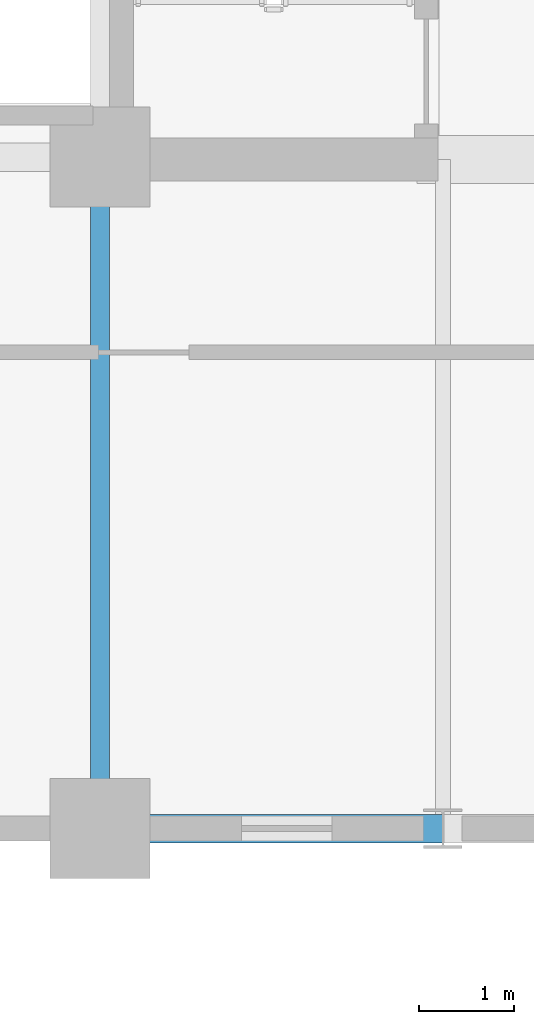
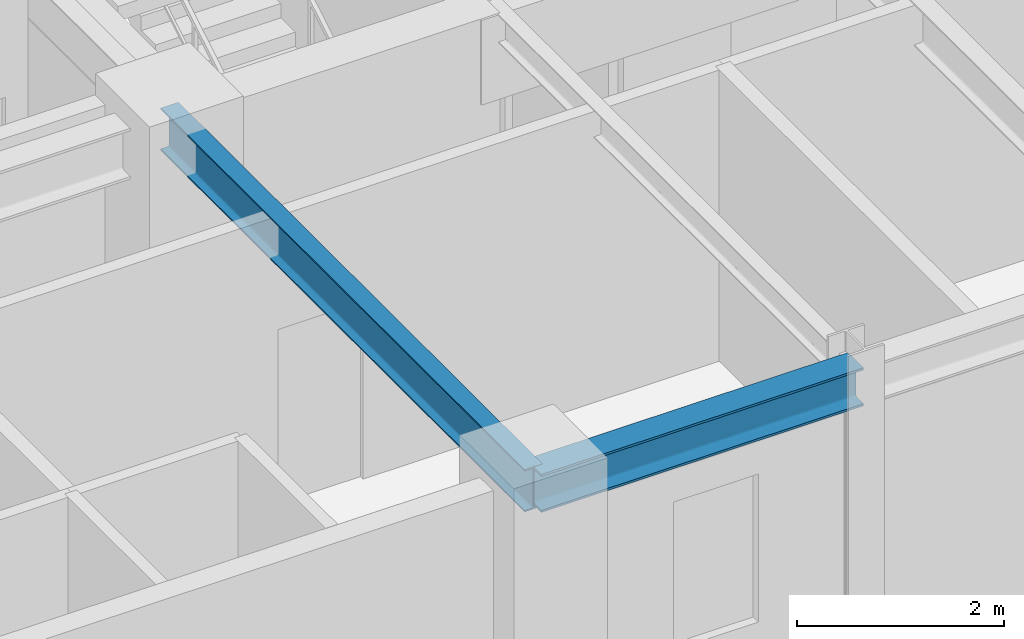
# One storey, part 4 of 18: 2 beams.
"""IFC4 building model written with IfcOpenShell, lengths in metres."""

from ifc_helpers import new_model, si_unit, direction, frame, origin, origin_2d, place, context, subcontext, project, spatial, i_section, extrude, source, transform, mapped, material, material_profile, profile_set, type_object, element, save


model = new_model("IFC4")

# Units and contexts
model_context = context("Model", 3, precision=1e-05, world=origin(), true_north=direction((0.0, 1.0)))
body_context = subcontext(model_context, "Body", "Model", "MODEL_VIEW")
ifc_project = project(units=[si_unit("LENGTHUNIT", "METRE"), si_unit("AREAUNIT", "SQUARE_METRE"), si_unit("VOLUMEUNIT", "CUBIC_METRE"), si_unit("PLANEANGLEUNIT", "RADIAN"), si_unit("MASSUNIT", "GRAM", prefix="KILO")], contexts=[model_context])

# Site, building, storey
site_placement = place(None, origin())
site = spatial("IfcSite", under=ifc_project, at=site_placement, CompositionType="ELEMENT")
building_placement = place(site_placement, origin())
building = spatial("IfcBuilding", under=site, at=building_placement, Name="Kaliganga Portal Commons", CompositionType="ELEMENT")
storey_placement = place(building_placement, frame((0.0, 0.0, 169.800048828125)))
storey = spatial("IfcBuildingStorey", under=building, at=storey_placement, Name="L43", CompositionType="ELEMENT", Elevation=169.800048828125)

# Beams
ifc_material = material(Name="Structural steel S355J2", Category="steel")
ifc_material_profile_1 = material_profile(ifc_material, i_section(OverallWidth=0.199951171875, OverallDepth=0.5, WebThickness=0.01025390625, FlangeThickness=0.01611328125, FilletRadius=0.02099609375, at=origin_2d()), Name="IPE 500")
ifc_profile_set_1 = profile_set([ifc_material_profile_1], Name="Structural steel S355J2 wide-flange")
beam_type_1 = type_object("IfcBeamType", Name="BM-FLR-500", PredefinedType="BEAM", material=ifc_profile_set_1)
shared_shape_1 = source(origin(), body_context, "Body", "SweptSolid", [
    extrude(i_section(OverallWidth=0.199951171875, OverallDepth=0.5, WebThickness=0.01025390625, FlangeThickness=0.01611328125, FilletRadius=0.02099609375, at=origin_2d()), origin(), (0.0, 0.0, 1.0), 7.0498046875),
])
beam_1_placement = place(storey_placement, frame((14.39990234375, 21.60009765625, 3.2099609375), z_axis=(0.0, 1.0, 0.0), x_axis=(-1.0, 0.0, 0.0)))
element("IfcBeam", 1, at=beam_1_placement, inside=storey, type_object=beam_type_1, Name="BM G L43 AS144", PredefinedType="BEAM", context=body_context, shape_type="MappedRepresentation", body=[
    mapped(shared_shape_1, transform((0.0, 0.0, 0.0), x_axis=(1.0, 0.0, 0.0), y_axis=(0.0, 1.0, 0.0), z_axis=(0.0, 0.0, 1.0), scale=1.0)),
])
ifc_material_profile_2 = material_profile(ifc_material, i_section(OverallWidth=0.300048828125, OverallDepth=0.449951171875, WebThickness=0.013916015625, FlangeThickness=0.02587890625, FilletRadius=0.027099609375, at=origin_2d()), Name="HE 450 B")
ifc_profile_set_2 = profile_set([ifc_material_profile_2], Name="Structural steel S355J2 wide-flange")
beam_type_2 = type_object("IfcBeamType", Name="BM-SPAND-450", PredefinedType="SPANDREL", material=ifc_profile_set_2)
shared_shape_2 = source(origin(), body_context, "Body", "SweptSolid", [
    extrude(i_section(OverallWidth=0.300048828125, OverallDepth=0.449951171875, WebThickness=0.013916015625, FlangeThickness=0.02587890625, FilletRadius=0.027099609375, at=origin_2d()), origin(), (0.0, 0.0, 1.0), 3.60009765625),
])
beam_2_placement = place(storey_placement, frame((14.39990234375, 21.60009765625, 3.23486328125), z_axis=(1.0, 0.0, 0.0), x_axis=(0.0, 1.0, 0.0)))
element("IfcBeam", 2, at=beam_2_placement, inside=storey, type_object=beam_type_2, Name="BM SP L43 AS 1", PredefinedType="SPANDREL", context=body_context, shape_type="MappedRepresentation", body=[
    mapped(shared_shape_2, transform((0.0, 0.0, 0.0), x_axis=(1.0, 0.0, 0.0), y_axis=(0.0, 1.0, 0.0), z_axis=(0.0, 0.0, 1.0), scale=1.0)),
])

save(model, "model.ifc")
